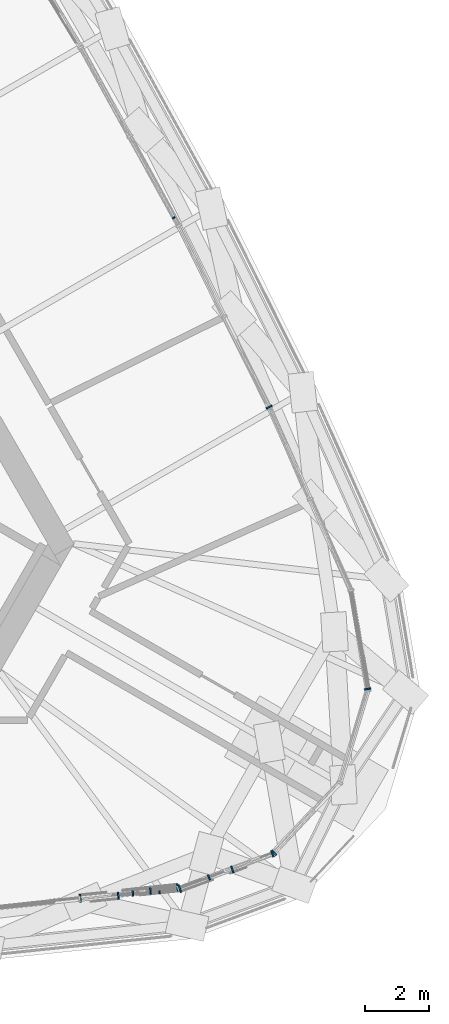
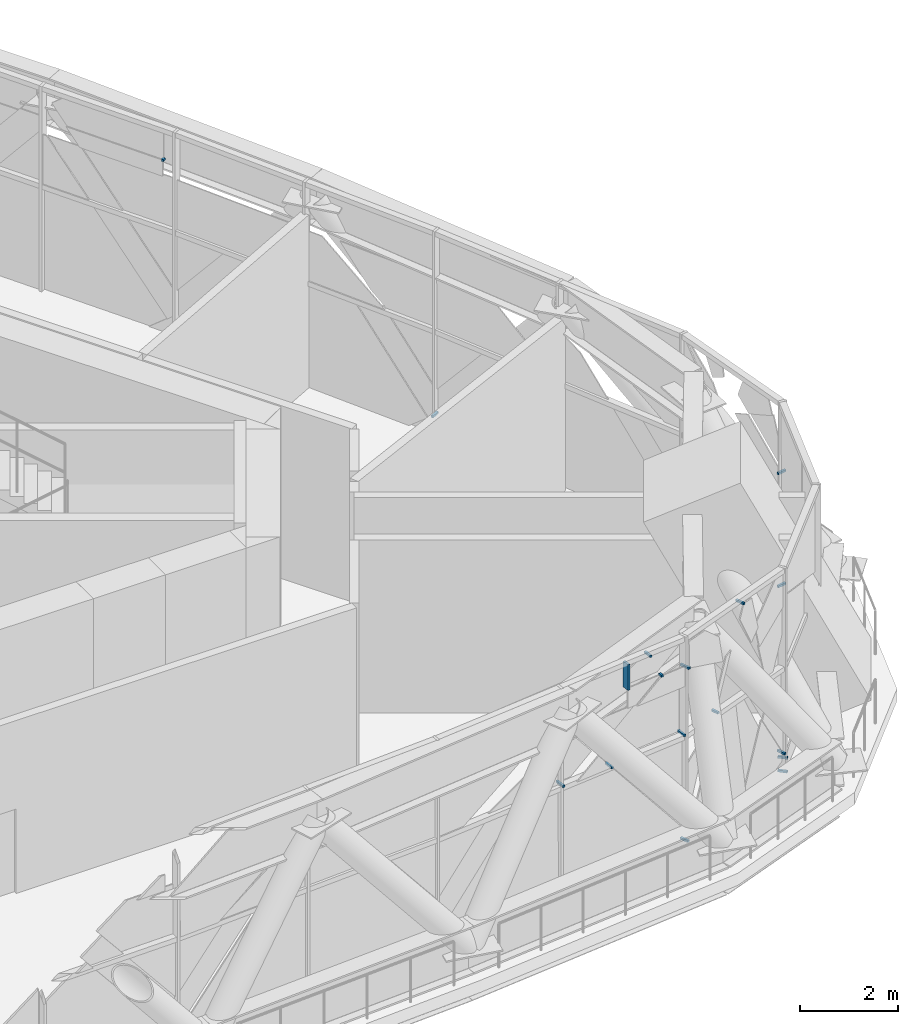
# One storey, part 27 of 33: 17 discrete accessories, 3 elements without a shape of their own.
"""IFC4 building model written with IfcOpenShell, lengths in metres."""

from ifc_helpers import new_model, si_unit, direction, frame, origin, origin_2d, place, context, subcontext, project, spatial, rectangle, extrude, material, layer, layer_set, type_object, element, aggregate, save


model = new_model("IFC4")

# Units and contexts
model_context = context("Model", 3, precision=1e-05, world=origin(), true_north=direction((0.0, 1.0)))
body_context = subcontext(model_context, "Body", "Model", "MODEL_VIEW")
ifc_project = project(units=[si_unit("LENGTHUNIT", "METRE"), si_unit("AREAUNIT", "SQUARE_METRE"), si_unit("VOLUMEUNIT", "CUBIC_METRE"), si_unit("PLANEANGLEUNIT", "RADIAN"), si_unit("MASSUNIT", "GRAM", prefix="KILO")], contexts=[model_context])

# Site, building, storey
site_placement = place(None, origin())
site = spatial("IfcSite", under=ifc_project, at=site_placement, CompositionType="ELEMENT")
building_placement = place(site_placement, origin())
building = spatial("IfcBuilding", under=site, at=building_placement, Name="Mestral Congress Tower", CompositionType="ELEMENT")
storey_placement = place(building_placement, frame((0.0, 0.0, 256.199951171875)))
storey = spatial("IfcBuildingStorey", under=building, at=storey_placement, Name="L60", CompositionType="ELEMENT", Elevation=256.199951171875)

# Curtain wall, discrete accessories
ifc_material_1 = material(Name="Clear low-emissivity double glazing", Category="glass")
curtain_wall_type = type_object("IfcCurtainWallType", Name="Facade refuge band screen", PredefinedType="USERDEFINED", material=ifc_material_1)
placement = place(storey_placement, origin())
curtain_wall_1 = element("IfcCurtainWall", 1, at=placement, inside=storey, type_object=curtain_wall_type, Name="Facade refuge band screen face 1", ObjectType="CURTAIN WALL", PredefinedType="USERDEFINED")
ifc_material_2 = material(Name="Steel S355", Category="steel")
ifc_layer = layer(ifc_material_2, 0.050048828125)
ifc_layer_set = layer_set([ifc_layer], Name="Steel S355")
discrete_accessory_type = type_object("IfcDiscreteAccessoryType", Name="Facade bracket", PredefinedType="BRACKET", material=ifc_layer_set)
discrete_accessory_1_placement = place(storey_placement, frame((17.45947265625, -17.255126953125, 4.363037109375), z_axis=(0.0, 0.0, 1.0), x_axis=(0.99461074464, 0.103679634673, 0.0)))
discrete_accessory_1 = element("IfcDiscreteAccessory", 2, at=discrete_accessory_1_placement, type_object=discrete_accessory_type, Name="Facade bracket", PredefinedType="BRACKET", context=body_context, shape_type="SweptSolid", body=[
    extrude(rectangle(XDim=0.050048828125, YDim=0.170166015625, at=origin_2d()), origin(), (0.0, 0.0, 1.0), 0.64208984375),
])
discrete_accessory_2_placement = place(storey_placement, frame((17.00439453125, -17.33349609375, 2.63525390625), z_axis=(0.0, 0.0, 1.0), x_axis=(0.994622861832, 0.103563327108, 0.0)))
discrete_accessory_2 = element("IfcDiscreteAccessory", 3, at=discrete_accessory_2_placement, type_object=discrete_accessory_type, Name="Facade bracket", PredefinedType="BRACKET", context=body_context, shape_type="SweptSolid", body=[
    extrude(rectangle(XDim=0.050048828125, YDim=0.228271484375, at=origin_2d()), origin(), (0.0, 0.0, 1.0), 0.050048828125),
])
discrete_accessory_3_placement = place(storey_placement, frame((15.815673828125, -17.407470703125, 2.63525390625), z_axis=(0.0, 0.0, 1.0), x_axis=(0.994625392064, 0.103539023856, 0.0)))
discrete_accessory_3 = element("IfcDiscreteAccessory", 4, at=discrete_accessory_3_placement, type_object=discrete_accessory_type, Name="Facade bracket", PredefinedType="BRACKET", context=body_context, shape_type="SweptSolid", body=[
    extrude(rectangle(XDim=0.05078125, YDim=0.241943359375, at=origin_2d()), origin(), (0.0, 0.0, 1.0), 0.050048828125),
])
discrete_accessory_4_placement = place(storey_placement, frame((18.853515625, -17.0771484375, 2.63525390625), z_axis=(0.0, 0.0, 1.0), x_axis=(0.994620150209, 0.103589366238, 0.0)))
discrete_accessory_4 = element("IfcDiscreteAccessory", 5, at=discrete_accessory_4_placement, type_object=discrete_accessory_type, Name="Facade bracket", PredefinedType="BRACKET", context=body_context, shape_type="SweptSolid", body=[
    extrude(rectangle(XDim=0.050048828125, YDim=0.238525390625, at=origin_2d()), origin(), (0.0, 0.0, 1.0), 0.050048828125),
])
discrete_accessory_5_placement = place(storey_placement, frame((18.29052734375, -17.224365234375, 4.36181640625), z_axis=(0.0, 0.0, 1.0), x_axis=(0.994624307752, 0.103549439543, 0.0)))
discrete_accessory_5 = element("IfcDiscreteAccessory", 6, at=discrete_accessory_5_placement, type_object=discrete_accessory_type, Name="Facade bracket", PredefinedType="BRACKET", context=body_context, shape_type="SweptSolid", body=[
    extrude(rectangle(XDim=0.051025390625, YDim=0.097900390625, at=origin_2d()), origin(), (0.0, 0.0, 1.0), 0.05126953125),
])
discrete_accessory_6_placement = place(storey_placement, frame((18.007080078125, -17.180908203125, 4.955078125), z_axis=(0.0, 0.0, 1.0), x_axis=(0.994619788608, 0.103592838117, 0.0)))
discrete_accessory_6 = element("IfcDiscreteAccessory", 7, at=discrete_accessory_6_placement, type_object=discrete_accessory_type, Name="Facade bracket", PredefinedType="BRACKET", context=body_context, shape_type="SweptSolid", body=[
    extrude(rectangle(XDim=0.050048828125, YDim=0.207275390625, at=origin_2d()), origin(), (0.0, 0.0, 1.0), 0.050048828125),
])
aggregate(curtain_wall_1, [discrete_accessory_1, discrete_accessory_2, discrete_accessory_3, discrete_accessory_4, discrete_accessory_5, discrete_accessory_6])

curtain_wall_2 = element("IfcCurtainWall", 8, at=placement, inside=storey, type_object=curtain_wall_type, Name="Facade refuge band screen face 2", ObjectType="CURTAIN WALL", PredefinedType="USERDEFINED")
discrete_accessory_7_placement = place(storey_placement, frame((21.7060546875, -2.087158203125, 0.4677734375), z_axis=(0.0, 0.0, 1.0), x_axis=(-0.445111926305, 0.895474942732, 0.0)))
discrete_accessory_7 = element("IfcDiscreteAccessory", 9, at=discrete_accessory_7_placement, type_object=discrete_accessory_type, Name="Facade bracket", PredefinedType="BRACKET", context=body_context, shape_type="SweptSolid", body=[
    extrude(rectangle(XDim=0.051513671875, YDim=0.199951171875, at=origin_2d()), origin(), (0.0, 0.0, 1.0), 0.050048828125),
])
discrete_accessory_8_placement = place(storey_placement, frame((18.733642578125, 3.8203125, 4.26318359375), z_axis=(0.0, 0.0, 1.0), x_axis=(-0.481911199016, 0.87622006155, 0.0)))
discrete_accessory_8 = element("IfcDiscreteAccessory", 10, at=discrete_accessory_8_placement, type_object=discrete_accessory_type, Name="Facade bracket", PredefinedType="BRACKET", context=body_context, shape_type="SweptSolid", body=[
    extrude(rectangle(XDim=0.050048828125, YDim=0.080810546875, at=origin_2d()), origin(), (0.0, 0.0, 1.0), 0.050048828125),
])
aggregate(curtain_wall_2, [discrete_accessory_7, discrete_accessory_8])

curtain_wall_3 = element("IfcCurtainWall", 11, at=placement, inside=storey, type_object=curtain_wall_type, Name="Facade refuge band screen corner 1", ObjectType="CURTAIN WALL", PredefinedType="USERDEFINED")
discrete_accessory_9_placement = place(storey_placement, frame((21.8134765625, -16.0234375, 0.48486328125), z_axis=(0.0, 0.0, 1.0), x_axis=(0.937587639881, 0.34774907267, 0.0)))
discrete_accessory_9 = element("IfcDiscreteAccessory", 12, at=discrete_accessory_9_placement, type_object=discrete_accessory_type, Name="Facade bracket", PredefinedType="BRACKET", context=body_context, shape_type="SweptSolid", body=[
    extrude(rectangle(XDim=0.050048828125, YDim=0.199951171875, at=origin_2d()), origin(), (0.0, 0.0, 1.0), 0.050048828125),
])
discrete_accessory_10_placement = place(storey_placement, frame((18.9169921875, -17.096923828125, -0.02490234375), z_axis=(0.0, 0.0, 1.0), x_axis=(0.937568823473, 0.347799800534, 0.0)))
discrete_accessory_10 = element("IfcDiscreteAccessory", 13, at=discrete_accessory_10_placement, type_object=discrete_accessory_type, Name="Facade bracket", PredefinedType="BRACKET", context=body_context, shape_type="SweptSolid", body=[
    extrude(rectangle(XDim=0.05419921875, YDim=0.199951171875, at=origin_2d()), origin(), (0.0, 0.0, 1.0), 0.050048828125),
])
discrete_accessory_11_placement = place(storey_placement, frame((20.562255859375, -16.513427734375, 4.955078125), z_axis=(0.0, 0.0, 1.0), x_axis=(0.937605846694, 0.347699980219, 0.0)))
discrete_accessory_11 = element("IfcDiscreteAccessory", 14, at=discrete_accessory_11_placement, type_object=discrete_accessory_type, Name="Facade bracket", PredefinedType="BRACKET", context=body_context, shape_type="SweptSolid", body=[
    extrude(rectangle(XDim=0.050048828125, YDim=0.2177734375, at=origin_2d()), origin(), (0.0, 0.0, 1.0), 0.050048828125),
])
discrete_accessory_12_placement = place(storey_placement, frame((19.832763671875, -16.7587890625, 2.63525390625), z_axis=(0.0, 0.0, 1.0), x_axis=(0.937610701411, 0.347686888738, 0.0)))
discrete_accessory_12 = element("IfcDiscreteAccessory", 15, at=discrete_accessory_12_placement, type_object=discrete_accessory_type, Name="Facade bracket", PredefinedType="BRACKET", context=body_context, shape_type="SweptSolid", body=[
    extrude(rectangle(XDim=0.050048828125, YDim=0.170166015625, at=origin_2d()), origin(), (0.0, 0.0, 1.0), 0.050048828125),
])
discrete_accessory_13_placement = place(storey_placement, frame((18.92041015625, -17.114013671875, 4.29248046875), z_axis=(0.0, 0.0, 1.0), x_axis=(0.937584605162, 0.347757254652, 0.0)))
discrete_accessory_13 = element("IfcDiscreteAccessory", 16, at=discrete_accessory_13_placement, type_object=discrete_accessory_type, Name="Facade bracket", PredefinedType="BRACKET", context=body_context, shape_type="SweptSolid", body=[
    extrude(rectangle(XDim=0.05078125, YDim=0.2333984375, at=origin_2d()), origin(), (0.0, 0.0, 1.0), 0.050048828125),
])
discrete_accessory_14_placement = place(storey_placement, frame((21.861572265625, -15.989990234375, 0.318359375), z_axis=(0.0, 0.0, 1.0), x_axis=(0.684773540558, 0.728755924951, 0.0)))
discrete_accessory_14 = element("IfcDiscreteAccessory", 17, at=discrete_accessory_14_placement, type_object=discrete_accessory_type, Name="Facade bracket", PredefinedType="BRACKET", context=body_context, shape_type="SweptSolid", body=[
    extrude(rectangle(XDim=0.050048828125, YDim=0.20068359375, at=origin_2d()), origin(), (0.0, 0.0, 1.0), 0.050048828125),
])
discrete_accessory_15_placement = place(storey_placement, frame((21.862548828125, -15.9892578125, -0.02490234375), z_axis=(0.0, 0.0, 1.0), x_axis=(0.684739197984, 0.728788193335, 0.0)))
discrete_accessory_15 = element("IfcDiscreteAccessory", 18, at=discrete_accessory_15_placement, type_object=discrete_accessory_type, Name="Facade bracket", PredefinedType="BRACKET", context=body_context, shape_type="SweptSolid", body=[
    extrude(rectangle(XDim=0.050048828125, YDim=0.199951171875, at=origin_2d()), origin(), (0.0, 0.0, 1.0), 0.050048828125),
])
discrete_accessory_16_placement = place(storey_placement, frame((24.782958984375, -10.87939453125, 0.48486328125), z_axis=(0.0, 0.0, 1.0), x_axis=(-0.167632568234, 0.985849543322, 0.0)))
discrete_accessory_16 = element("IfcDiscreteAccessory", 19, at=discrete_accessory_16_placement, type_object=discrete_accessory_type, Name="Facade bracket", PredefinedType="BRACKET", context=body_context, shape_type="SweptSolid", body=[
    extrude(rectangle(XDim=0.050048828125, YDim=0.199951171875, at=origin_2d()), origin(), (0.0, 0.0, 1.0), 0.050048828125),
])
discrete_accessory_17_placement = place(storey_placement, frame((24.78271484375, -10.87939453125, 3.2939453125), z_axis=(0.0, 0.0, 1.0), x_axis=(-0.167613641251, 0.985852761454, 0.0)))
discrete_accessory_17 = element("IfcDiscreteAccessory", 20, at=discrete_accessory_17_placement, type_object=discrete_accessory_type, Name="Facade bracket", PredefinedType="BRACKET", context=body_context, shape_type="SweptSolid", body=[
    extrude(rectangle(XDim=0.050048828125, YDim=0.199951171875, at=origin_2d()), origin(), (0.0, 0.0, 1.0), 0.050048828125),
])
aggregate(curtain_wall_3, [discrete_accessory_9, discrete_accessory_10, discrete_accessory_11, discrete_accessory_12, discrete_accessory_13, discrete_accessory_14, discrete_accessory_15, discrete_accessory_16, discrete_accessory_17])

save(model, "model.ifc")
